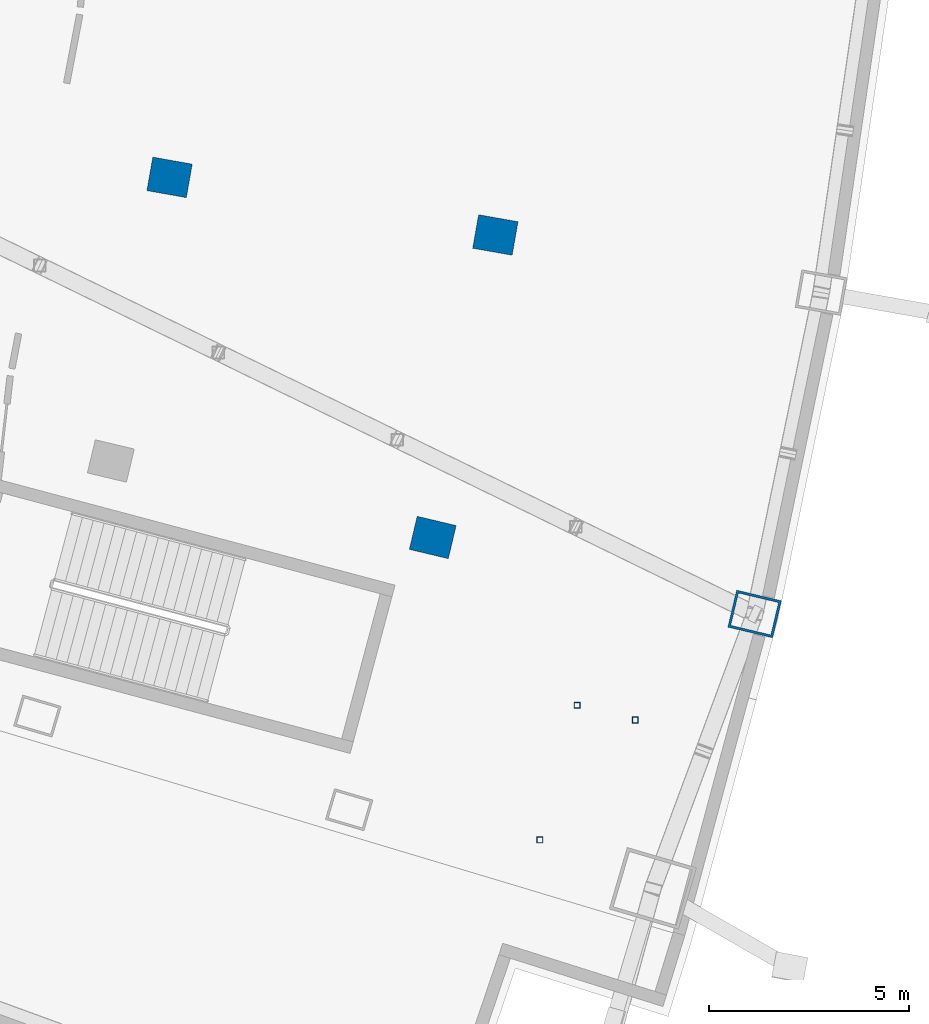
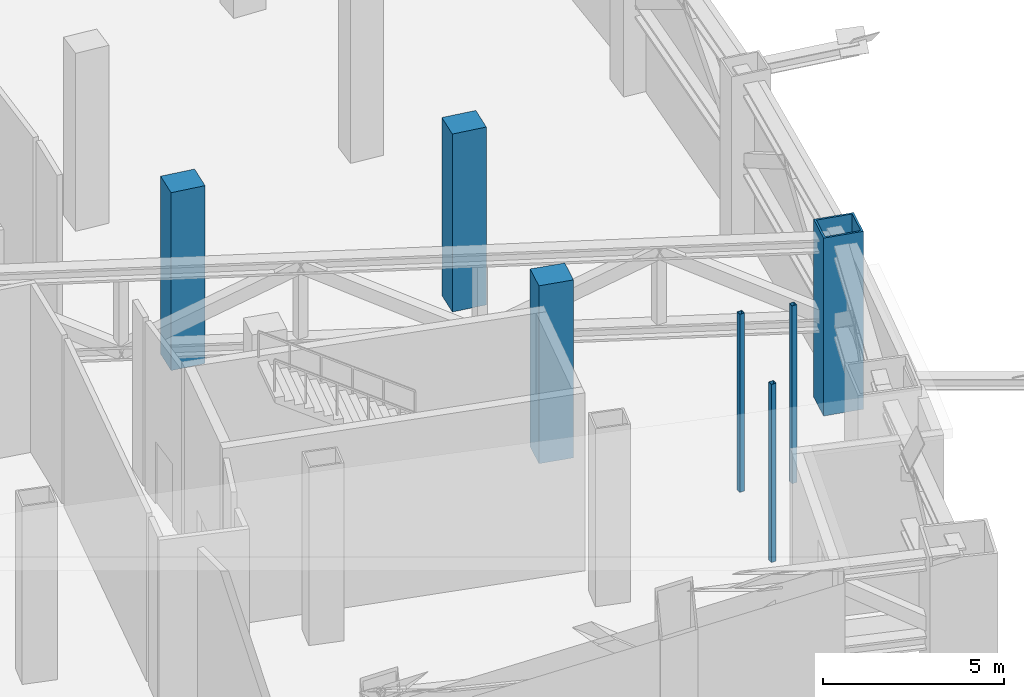
# One storey, part 4 of 26: 7 columns.
"""IFC4 building model written with IfcOpenShell, lengths in metres."""

from ifc_helpers import new_model, si_unit, direction, frame, origin, origin_2d, place, context, subcontext, project, spatial, rectangle, hollow_rectangle, extrude, material, material_profile, profile_set, type_object, element, save


model = new_model("IFC4")

# Units and contexts
model_context = context("Model", 3, precision=1e-05, world=origin(), true_north=direction((0.0, 1.0)))
body_context = subcontext(model_context, "Body", "Model", "MODEL_VIEW")
ifc_project = project(units=[si_unit("LENGTHUNIT", "METRE"), si_unit("AREAUNIT", "SQUARE_METRE"), si_unit("VOLUMEUNIT", "CUBIC_METRE"), si_unit("PLANEANGLEUNIT", "RADIAN"), si_unit("MASSUNIT", "GRAM", prefix="KILO")], contexts=[model_context])

# Site, building, storey
site_placement = place(None, origin())
site = spatial("IfcSite", under=ifc_project, at=site_placement, CompositionType="ELEMENT")
building_placement = place(site_placement, origin())
building = spatial("IfcBuilding", under=site, at=building_placement, Name="Alderwake Tower", CompositionType="ELEMENT")
storey_placement = place(building_placement, frame((0.0, 0.0, 132.800048828125)))
storey = spatial("IfcBuildingStorey", under=building, at=storey_placement, Name="L32", CompositionType="ELEMENT", Elevation=132.800048828125)

# Columns
ifc_material_1 = material(Name="Concrete C70/85", Category="concrete")
ifc_material_profile_1 = material_profile(ifc_material_1, rectangle(XDim=0.85009765625, YDim=1.0, at=origin_2d()), Name="RC 1000X850")
ifc_profile_set_1 = profile_set([ifc_material_profile_1], Name="Concrete C70/85")
column_type_1 = type_object("IfcColumnType", Name="Interior column Z2", PredefinedType="COLUMN", material=ifc_profile_set_1)
for number, where, z_axis, x_axis, name in (
    (1, (48.747314453125, 30.401611328125, 0.0), (0.0, 0.0, 1.0), (0.231221547198, 0.972901123502, 0.0), "Column R03-C4"),
    (2, (42.171875, 39.39892578125, 0.0), (0.0, 0.0, 1.0), (0.174107082075, 0.984726725529, 0.0), "Column R04-C3"),
    (3, (50.31201171875, 37.959716796875, 0.0), (0.0, 0.0, 1.0), (0.174108800747, 0.984726421654, 0.0), "Column R04-C4"),
):
    element("IfcColumn", number, at=place(storey_placement, frame(where, z_axis=z_axis, x_axis=x_axis)), inside=storey, type_object=column_type_1, Name=name, PredefinedType="COLUMN", context=body_context, shape_type="SweptSolid", body=[
        extrude(rectangle(XDim=0.85009765625, YDim=1.0, at=origin_2d()), origin(), (0.0, 0.0, 1.0), 6.0),
    ])
ifc_material_2 = material(Name="Steel ASTM A500 Grade C", Category="steel")
ifc_material_profile_2 = material_profile(ifc_material_2, hollow_rectangle(XDim=0.15234375, YDim=0.15234375, WallThickness=0.0087890625, at=origin_2d()), Name="HSS6X6X3/8")
ifc_profile_set_2 = profile_set([ifc_material_profile_2], Name="Steel ASTM A500 Grade C")
column_type_2 = type_object("IfcColumnType", Name="Light post HSS6X6X3/8", PredefinedType="COLUMN", material=ifc_profile_set_2)
for number, where, z_axis, x_axis, name in (
    (4, (53.807861328125, 25.840576171875, 0.0), (0.0, 0.0, 1.0), (1.0, 0.0, 0.0), "Terrace post FS1"),
    (5, (51.42431640625, 22.847900390625, 0.0), (0.0, 0.0, 1.0), (1.0, 0.0, 0.0), "Terrace post FS2"),
    (6, (52.353759765625, 26.208740234375, 0.0), (0.0, 0.0, 1.0), (1.0, 0.0, 0.0), "Terrace post FS3"),
):
    element("IfcColumn", number, at=place(storey_placement, frame(where, z_axis=z_axis, x_axis=x_axis)), inside=storey, type_object=column_type_2, Name=name, PredefinedType="COLUMN", context=body_context, shape_type="SweptSolid", body=[
        extrude(hollow_rectangle(XDim=0.15234375, YDim=0.15234375, WallThickness=0.0087890625, at=origin_2d()), origin(), (0.0, 0.0, 1.0), 6.0),
    ])
ifc_material_3 = material(Name="Steel ASTM A572 Grade 50 concrete filled C70/85", Category="concrete")
ifc_material_profile_3 = material_profile(ifc_material_3, hollow_rectangle(XDim=0.949951171875, YDim=1.14990234375, WallThickness=0.06005859375, at=origin_2d()), Name="BOX 1150X950X60")
ifc_profile_set_3 = profile_set([ifc_material_profile_3], Name="Steel ASTM A572 Grade 50 concrete filled C70/85")
column_type_3 = type_object("IfcColumnType", Name="Perimeter column Z2", PredefinedType="COLUMN", material=ifc_profile_set_3)
column_placement = place(storey_placement, frame((56.789794921875, 28.490234375, 0.0), z_axis=(0.0, 0.0, 1.0), x_axis=(0.231221547198, 0.972901123502, 0.0)))
element("IfcColumn", 7, at=column_placement, inside=storey, type_object=column_type_3, Name="Column R03-C5", PredefinedType="COLUMN", context=body_context, shape_type="SweptSolid", body=[
    extrude(hollow_rectangle(XDim=0.949951171875, YDim=1.14990234375, WallThickness=0.06005859375, at=origin_2d()), origin(), (0.0, 0.0, 1.0), 6.0),
])

save(model, "model.ifc")
